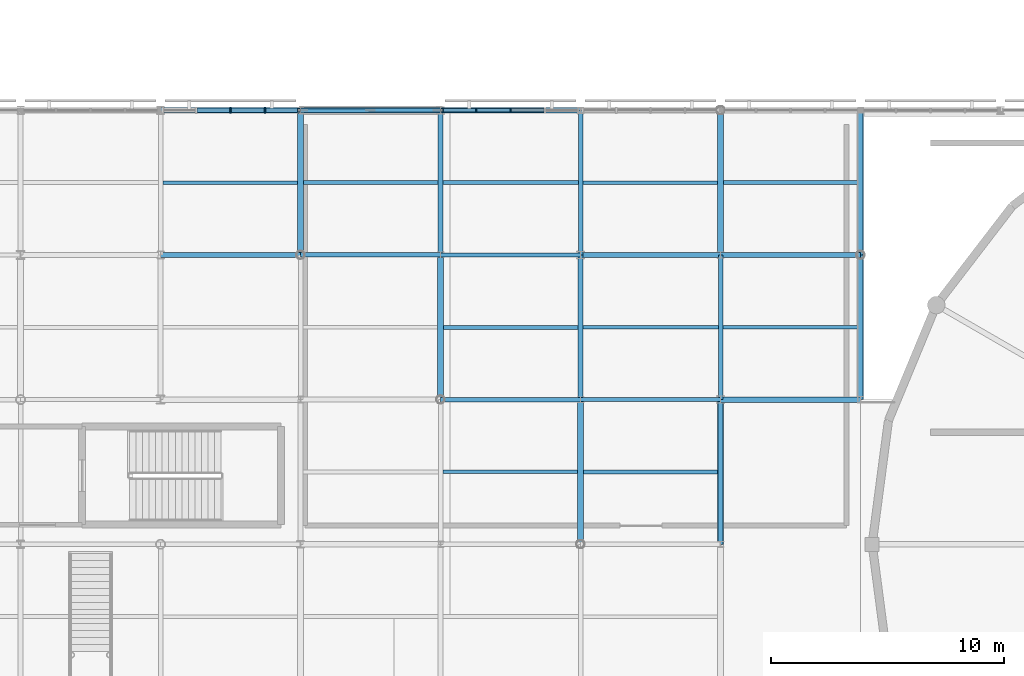
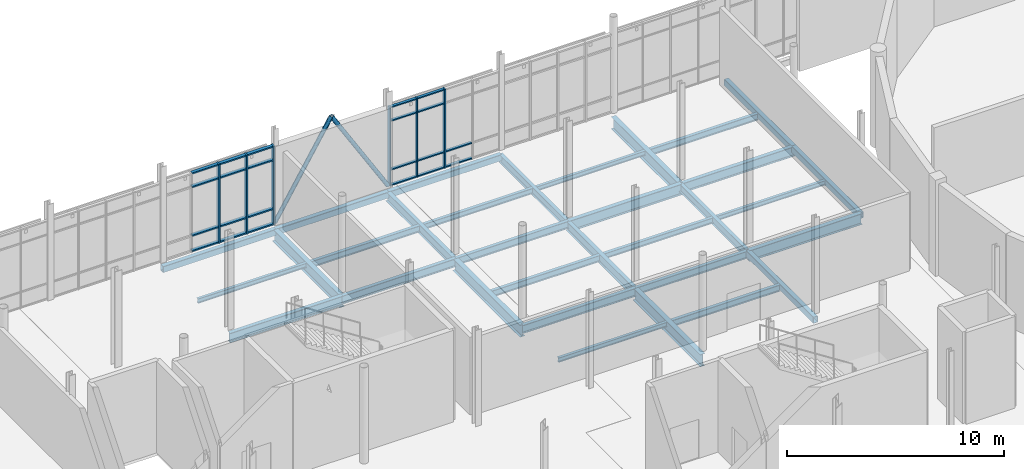
# One storey, part 36 of 105: 32 beams, 30 members, 2 elements without a shape of their own.
"""IFC4 building model written with IfcOpenShell, lengths in metres."""

from ifc_helpers import new_model, si_unit, direction, frame, origin, origin_2d, place, context, subcontext, project, spatial, rectangle, hollow_rectangle, hollow_circle, i_section, extrude, material, layer, layer_set, material_profile, profile_set, type_object, element, aggregate, save


model = new_model("IFC4")

# Units and contexts
model_context = context("Model", 3, precision=1e-05, world=origin(), true_north=direction((0.0, 1.0)))
body_context = subcontext(model_context, "Body", "Model", "MODEL_VIEW")
ifc_project = project(units=[si_unit("LENGTHUNIT", "METRE"), si_unit("AREAUNIT", "SQUARE_METRE"), si_unit("VOLUMEUNIT", "CUBIC_METRE"), si_unit("PLANEANGLEUNIT", "RADIAN"), si_unit("MASSUNIT", "GRAM", prefix="KILO")], contexts=[model_context])

# Site, building, storey
site_placement = place(None, origin())
site = spatial("IfcSite", under=ifc_project, at=site_placement, CompositionType="ELEMENT")
building_placement = place(site_placement, origin())
building = spatial("IfcBuilding", under=site, at=building_placement, Name="Mirzam Square Science Centre", CompositionType="ELEMENT")
storey_placement = place(building_placement, frame((0.0, 0.0, 5.39990234375)))
storey = spatial("IfcBuildingStorey", under=building, at=storey_placement, Name="L01", CompositionType="ELEMENT", Elevation=5.39990234375)

# Beams
ifc_material_1 = material(Name="Steel S355", Category="steel")
ifc_material_profile_1 = material_profile(ifc_material_1, i_section(OverallWidth=0.1787109375, OverallDepth=0.409423828125, WebThickness=0.0087890625, FlangeThickness=0.014404296875, FilletRadius=0.01025390625, at=origin_2d()), Name="406x178x67UB")
ifc_profile_set_1 = profile_set([ifc_material_profile_1], Name="Steel S355")
beam_type_1 = type_object("IfcBeamType", Name="BM-UB406", PredefinedType="BEAM", material=ifc_profile_set_1)
for number, where, z_axis, x_axis, name in (
    (1, (48.0, 68.199951171875, -0.464599609375), (1.0, 0.0, 0.0), (0.0, 1.0, 0.0), "L01 girder X9-12"),
    (2, (42.0, 74.39990234375, -0.464599609375), (1.0, 0.0, 0.0), (0.0, 1.0, 0.0), "L01 girder X8-13"),
):
    element("IfcBeam", number, at=place(storey_placement, frame(where, z_axis=z_axis, x_axis=x_axis)), inside=storey, type_object=beam_type_1, Name=name, PredefinedType="BEAM", context=body_context, shape_type="SweptSolid", body=[
        extrude(i_section(OverallWidth=0.1787109375, OverallDepth=0.409423828125, WebThickness=0.0087890625, FlangeThickness=0.014404296875, FilletRadius=0.01025390625, at=origin_2d()), origin(), (0.0, 0.0, 1.0), 6.0),
    ])
ifc_material_profile_2 = material_profile(ifc_material_1, i_section(OverallWidth=0.19140625, OverallDepth=0.4599609375, WebThickness=0.010009765625, FlangeThickness=0.01611328125, FilletRadius=0.01025390625, at=origin_2d()), Name="457x191x82UB")
ifc_profile_set_2 = profile_set([ifc_material_profile_2], Name="Steel S355")
beam_type_2 = type_object("IfcBeamType", Name="BM-UB457", PredefinedType="BEAM", material=ifc_profile_set_2)
for number, where, z_axis, x_axis, name in (
    (3, (42.0, 68.199951171875, -0.489990234375), (1.0, 0.0, 0.0), (0.0, 1.0, 0.0), "L01 girder X8-12"),
    (4, (36.0, 74.39990234375, -0.489990234375), (1.0, 0.0, 0.0), (0.0, 1.0, 0.0), "L01 girder X7-13"),
):
    element("IfcBeam", number, at=place(storey_placement, frame(where, z_axis=z_axis, x_axis=x_axis)), inside=storey, type_object=beam_type_2, Name=name, PredefinedType="BEAM", context=body_context, shape_type="SweptSolid", body=[
        extrude(i_section(OverallWidth=0.19140625, OverallDepth=0.4599609375, WebThickness=0.010009765625, FlangeThickness=0.01611328125, FilletRadius=0.01025390625, at=origin_2d()), origin(), (0.0, 0.0, 1.0), 6.0),
    ])
beam_1_placement = place(storey_placement, frame((48.0, 74.39990234375, -0.489990234375), z_axis=(0.0, 1.0, 0.0), x_axis=(-1.0, 0.0, 0.0)))
element("IfcBeam", 5, at=beam_1_placement, inside=storey, type_object=beam_type_2, Name="L01 girder Y9-13", PredefinedType="BEAM", context=body_context, shape_type="SweptSolid", body=[
    extrude(i_section(OverallWidth=0.19140625, OverallDepth=0.4599609375, WebThickness=0.010009765625, FlangeThickness=0.01611328125, FilletRadius=0.01025390625, at=origin_2d()), origin(), (0.0, 0.0, 1.0), 6.2001953125),
])
beam_2_placement = place(storey_placement, frame((54.0, 68.199951171875, -0.489990234375), z_axis=(0.0, 1.0, 0.0), x_axis=(-1.0, 0.0, 0.0)))
element("IfcBeam", 6, at=beam_2_placement, inside=storey, type_object=beam_type_2, Name="L01 girder Y10-12", PredefinedType="BEAM", context=body_context, shape_type="SweptSolid", body=[
    extrude(i_section(OverallWidth=0.19140625, OverallDepth=0.4599609375, WebThickness=0.010009765625, FlangeThickness=0.01611328125, FilletRadius=0.01025390625, at=origin_2d()), origin(), (0.0, 0.0, 1.0), 6.199951171875),
])
ifc_material_profile_3 = material_profile(ifc_material_1, i_section(OverallWidth=0.2099609375, OverallDepth=0.53662109375, WebThickness=0.0107421875, FlangeThickness=0.017333984375, FilletRadius=0.0126953125, at=origin_2d()), Name="533x210x101UB")
ifc_profile_set_3 = profile_set([ifc_material_profile_3], Name="Steel S355")
beam_type_3 = type_object("IfcBeamType", Name="BM-UB533", PredefinedType="BEAM", material=ifc_profile_set_3)
for number, where, z_axis, x_axis, name in (
    (7, (30.0, 74.39990234375, -0.5283203125), (1.0, 0.0, 0.0), (0.0, 1.0, 0.0), "L01 girder X6-13"),
    (8, (54.0, 74.39990234375, -0.5283203125), (1.0, 0.0, 0.0), (0.0, 1.0, 0.0), "L01 girder X10-13"),
):
    element("IfcBeam", number, at=place(storey_placement, frame(where, z_axis=z_axis, x_axis=x_axis)), inside=storey, type_object=beam_type_3, Name=name, PredefinedType="BEAM", context=body_context, shape_type="SweptSolid", body=[
        extrude(i_section(OverallWidth=0.2099609375, OverallDepth=0.53662109375, WebThickness=0.0107421875, FlangeThickness=0.017333984375, FilletRadius=0.0126953125, at=origin_2d()), origin(), (0.0, 0.0, 1.0), 6.0),
    ])
beam_3_placement = place(storey_placement, frame((42.0, 74.39990234375, -0.5283203125), z_axis=(0.0, 1.0, 0.0), x_axis=(-1.0, 0.0, 0.0)))
element("IfcBeam", 9, at=beam_3_placement, inside=storey, type_object=beam_type_3, Name="L01 girder Y8-13", PredefinedType="BEAM", context=body_context, shape_type="SweptSolid", body=[
    extrude(i_section(OverallWidth=0.2099609375, OverallDepth=0.53662109375, WebThickness=0.0107421875, FlangeThickness=0.017333984375, FilletRadius=0.0126953125, at=origin_2d()), origin(), (0.0, 0.0, 1.0), 6.2001953125),
])
beam_4_placement = place(storey_placement, frame((48.0, 68.199951171875, -0.5283203125), z_axis=(0.0, 1.0, 0.0), x_axis=(-1.0, 0.0, 0.0)))
element("IfcBeam", 10, at=beam_4_placement, inside=storey, type_object=beam_type_3, Name="L01 girder Y9-12", PredefinedType="BEAM", context=body_context, shape_type="SweptSolid", body=[
    extrude(i_section(OverallWidth=0.2099609375, OverallDepth=0.53662109375, WebThickness=0.0107421875, FlangeThickness=0.017333984375, FilletRadius=0.0126953125, at=origin_2d()), origin(), (0.0, 0.0, 1.0), 6.199951171875),
])
ifc_material_profile_4 = material_profile(ifc_material_1, i_section(OverallWidth=0.22900390625, OverallDepth=0.6123046875, WebThickness=0.011962890625, FlangeThickness=0.01953125, FilletRadius=0.0126953125, at=origin_2d()), Name="610x229x125UB")
ifc_profile_set_4 = profile_set([ifc_material_profile_4], Name="Steel S355")
beam_type_4 = type_object("IfcBeamType", Name="BM-UB610", PredefinedType="BEAM", material=ifc_profile_set_4)
for number, where, z_axis, x_axis, name in (
    (11, (54.0, 68.199951171875, -0.56591796875), (1.0, 0.0, 0.0), (0.0, 1.0, 0.0), "L01 girder X10-12"),
    (12, (48.0, 74.39990234375, -0.56591796875), (1.0, 0.0, 0.0), (0.0, 1.0, 0.0), "L01 girder X9-13"),
):
    element("IfcBeam", number, at=place(storey_placement, frame(where, z_axis=z_axis, x_axis=x_axis)), inside=storey, type_object=beam_type_4, Name=name, PredefinedType="BEAM", context=body_context, shape_type="SweptSolid", body=[
        extrude(i_section(OverallWidth=0.22900390625, OverallDepth=0.6123046875, WebThickness=0.011962890625, FlangeThickness=0.01953125, FilletRadius=0.0126953125, at=origin_2d()), origin(), (0.0, 0.0, 1.0), 6.0),
    ])
ifc_material_profile_5 = material_profile(ifc_material_1, i_section(OverallWidth=0.25439453125, OverallDepth=0.6875, WebThickness=0.01318359375, FlangeThickness=0.02099609375, FilletRadius=0.01513671875, at=origin_2d()), Name="686x254x152UB")
ifc_profile_set_5 = profile_set([ifc_material_profile_5], Name="Steel S355")
beam_type_5 = type_object("IfcBeamType", Name="BM-UB686", PredefinedType="BEAM", material=ifc_profile_set_5)
beam_5_placement = place(storey_placement, frame((36.0, 74.39990234375, -0.603759765625), z_axis=(0.0, 1.0, 0.0), x_axis=(-1.0, 0.0, 0.0)))
element("IfcBeam", 13, at=beam_5_placement, inside=storey, type_object=beam_type_5, Name="L01 girder Y7-13", PredefinedType="BEAM", context=body_context, shape_type="SweptSolid", body=[
    extrude(i_section(OverallWidth=0.25439453125, OverallDepth=0.6875, WebThickness=0.01318359375, FlangeThickness=0.02099609375, FilletRadius=0.01513671875, at=origin_2d()), origin(), (0.0, 0.0, 1.0), 6.2001953125),
])
for number, where, z_axis, x_axis, name in (
    (14, (42.0, 68.199951171875, -0.603759765625), (0.0, 1.0, 0.0), (-1.0, 0.0, 0.0), "L01 girder Y8-12"),
    (15, (48.0, 62.0, -0.603759765625), (0.0, 1.0, 0.0), (-1.0, 0.0, 0.0), "L01 girder Y9-11"),
):
    element("IfcBeam", number, at=place(storey_placement, frame(where, z_axis=z_axis, x_axis=x_axis)), inside=storey, type_object=beam_type_5, Name=name, PredefinedType="BEAM", context=body_context, shape_type="SweptSolid", body=[
        extrude(i_section(OverallWidth=0.25439453125, OverallDepth=0.6875, WebThickness=0.01318359375, FlangeThickness=0.02099609375, FilletRadius=0.01513671875, at=origin_2d()), origin(), (0.0, 0.0, 1.0), 6.199951171875),
    ])
beam_6_placement = place(storey_placement, frame((54.0, 74.39990234375, -0.603759765625), z_axis=(0.0, 1.0, 0.0), x_axis=(-1.0, 0.0, 0.0)))
element("IfcBeam", 16, at=beam_6_placement, inside=storey, type_object=beam_type_5, Name="L01 girder Y10-13", PredefinedType="BEAM", context=body_context, shape_type="SweptSolid", body=[
    extrude(i_section(OverallWidth=0.25439453125, OverallDepth=0.6875, WebThickness=0.01318359375, FlangeThickness=0.02099609375, FilletRadius=0.01513671875, at=origin_2d()), origin(), (0.0, 0.0, 1.0), 6.2001953125),
])

# Members
ifc_material_profile_6 = material_profile(ifc_material_1, hollow_circle(Radius=0.109619140625, WallThickness=0.010009765625, at=origin_2d()), Name="219.1x10.0CHS")
ifc_profile_set_6 = profile_set([ifc_material_profile_6], Name="Steel S355")
member_type_1 = type_object("IfcMemberType", Name="BR-CHS219", PredefinedType="BRACE", material=ifc_profile_set_6)
for number, where, z_axis, x_axis, name in (
    (17, (36.0, 80.60009765625, 0.050048828125), (0.520218218023, 0.0, 0.854033375014), (0.0, 1.0, 0.0), "L01 chevron brace 3A"),
    (18, (42.0, 80.60009765625, 0.050048828125), (-0.520218218023, 0.0, 0.854033375014), (0.0, -1.0, 0.0), "L01 chevron brace 3B"),
):
    element("IfcMember", number, at=place(storey_placement, frame(where, z_axis=z_axis, x_axis=x_axis)), inside=storey, type_object=member_type_1, Name=name, PredefinedType="BRACE", context=body_context, shape_type="SweptSolid", body=[
        extrude(hollow_circle(Radius=0.109619140625, WallThickness=0.010009765625, at=origin_2d()), origin(), (0.0, 0.0, 1.0), 5.766845703125),
    ])

# Curtain wall, members
ifc_material_2 = material(Name="Anodised Aluminium and Low-E Solar Glass", Category="aluminium")
ifc_layer_1 = layer(ifc_material_2, 0.159912109375)
ifc_layer_set_1 = layer_set([ifc_layer_1], Name="CW-COURT-A")
curtain_wall_type_1 = type_object("IfcCurtainWallType", Name="CW-COURT-A", PredefinedType="USERDEFINED", material=ifc_layer_set_1)
curtain_wall_1_placement = place(storey_placement, origin())
curtain_wall_1 = element("IfcCurtainWall", 19, at=curtain_wall_1_placement, inside=storey, type_object=curtain_wall_type_1, Name="L01 unitised curtain wall 15", ObjectType="UNITISED CURTAIN WALL", PredefinedType="USERDEFINED")
ifc_material_3 = material(Name="Anodised Architectural Aluminium 6063-T6", Category="aluminium")
ifc_material_profile_7 = material_profile(ifc_material_3, rectangle(XDim=0.06494140625, YDim=0.199951171875, at=origin_2d()), Name="ALU-MULL-200x65x5")
ifc_profile_set_7 = profile_set([ifc_material_profile_7], Name="Anodised Architectural Aluminium 6063-T6")
member_type_2 = type_object("IfcMemberType", Name="CWM-200", PredefinedType="MULLION", material=ifc_profile_set_7)
member_1_placement = place(storey_placement, frame((45.0, 80.60009765625, 0.0), z_axis=(0.0, 0.0, 1.0), x_axis=(-1.0, 0.0, 0.0)))
member_1 = element("IfcMember", 20, at=member_1_placement, type_object=member_type_2, Name="CW-03 mullion 3", PredefinedType="MULLION", context=body_context, shape_type="SweptSolid", body=[
    extrude(rectangle(XDim=0.06494140625, YDim=0.199951171875, at=origin_2d()), origin(), (0.0, 0.0, 1.0), 4.440185546875),
])
member_2_placement = place(storey_placement, frame((43.527587890625, 80.60009765625, 0.0), z_axis=(0.0, 0.0, 1.0), x_axis=(-1.0, 0.0, 0.0)))
member_2 = element("IfcMember", 21, at=member_2_placement, type_object=member_type_2, Name="CW-03 mullion 4", PredefinedType="MULLION", context=body_context, shape_type="SweptSolid", body=[
    extrude(rectangle(XDim=0.06494140625, YDim=0.199951171875, at=origin_2d()), origin(), (0.0, 0.0, 1.0), 4.440185546875),
])
member_3_placement = place(storey_placement, frame((42.08740234375, 80.60009765625, 0.0), z_axis=(0.0, 0.0, 1.0), x_axis=(-1.0, 0.0, 0.0)))
member_3 = element("IfcMember", 22, at=member_3_placement, type_object=member_type_2, Name="CW-03 mullion 5", PredefinedType="MULLION", context=body_context, shape_type="SweptSolid", body=[
    extrude(rectangle(XDim=0.06494140625, YDim=0.199951171875, at=origin_2d()), origin(), (0.0, 0.0, 1.0), 4.440185546875),
])

ifc_layer_2 = layer(ifc_material_2, 0.179931640625)
ifc_layer_set_2 = layer_set([ifc_layer_2], Name="CW-PARK-A")
curtain_wall_type_2 = type_object("IfcCurtainWallType", Name="CW-PARK-A", PredefinedType="USERDEFINED", material=ifc_layer_set_2)
curtain_wall_2_placement = place(storey_placement, origin())
curtain_wall_2 = element("IfcCurtainWall", 23, at=curtain_wall_2_placement, inside=storey, type_object=curtain_wall_type_2, Name="L01 unitised curtain wall 14", ObjectType="UNITISED CURTAIN WALL", PredefinedType="USERDEFINED")
ifc_material_profile_8 = material_profile(ifc_material_3, rectangle(XDim=0.074951171875, YDim=0.239990234375, at=origin_2d()), Name="ALU-MULL-240x75x5")
ifc_profile_set_8 = profile_set([ifc_material_profile_8], Name="Anodised Architectural Aluminium 6063-T6")
member_type_3 = type_object("IfcMemberType", Name="CWM-240", PredefinedType="MULLION", material=ifc_profile_set_8)
member_4_placement = place(storey_placement, frame((35.907470703125, 80.60009765625, 0.0), z_axis=(0.0, 0.0, 1.0), x_axis=(-1.0, 0.0, 0.0)))
member_4 = element("IfcMember", 24, at=member_4_placement, type_object=member_type_3, Name="CW-01 mullion 1", PredefinedType="MULLION", context=body_context, shape_type="SweptSolid", body=[
    extrude(rectangle(XDim=0.074951171875, YDim=0.239990234375, at=origin_2d()), origin(), (0.0, 0.0, 1.0), 4.440185546875),
])
member_5_placement = place(storey_placement, frame((34.472412109375, 80.60009765625, 0.0), z_axis=(0.0, 0.0, 1.0), x_axis=(-1.0, 0.0, 0.0)))
member_5 = element("IfcMember", 25, at=member_5_placement, type_object=member_type_3, Name="CW-01 mullion 2", PredefinedType="MULLION", context=body_context, shape_type="SweptSolid", body=[
    extrude(rectangle(XDim=0.074951171875, YDim=0.239990234375, at=origin_2d()), origin(), (0.0, 0.0, 1.0), 4.440185546875),
])
member_6_placement = place(storey_placement, frame((33.0, 80.60009765625, 0.0), z_axis=(0.0, 0.0, 1.0), x_axis=(-1.0, 0.0, 0.0)))
member_6 = element("IfcMember", 26, at=member_6_placement, type_object=member_type_3, Name="CW-01 mullion 3", PredefinedType="MULLION", context=body_context, shape_type="SweptSolid", body=[
    extrude(rectangle(XDim=0.074951171875, YDim=0.239990234375, at=origin_2d()), origin(), (0.0, 0.0, 1.0), 4.440185546875),
])

# Member
ifc_material_profile_9 = material_profile(ifc_material_3, rectangle(XDim=0.14990234375, YDim=0.06494140625, at=origin_2d()), Name="ALU-TRAN-150x65x4")
ifc_profile_set_9 = profile_set([ifc_material_profile_9], Name="Anodised Architectural Aluminium 6063-T6")
member_type_4 = type_object("IfcMemberType", Name="CWT-150", PredefinedType="USERDEFINED", material=ifc_profile_set_9)
member_7_placement = place(storey_placement, frame((46.43994140625, 80.60009765625, 0.03271484375), z_axis=(-1.0, 0.0, 0.0), x_axis=(0.0, -1.0, 0.0)))
member_7 = element("IfcMember", 27, at=member_7_placement, type_object=member_type_4, Name="CW-03 transom 2.1", ObjectType="TRANSOM", PredefinedType="USERDEFINED", context=body_context, shape_type="SweptSolid", body=[
    extrude(rectangle(XDim=0.14990234375, YDim=0.06494140625, at=origin_2d()), origin(), (0.0, 0.0, 1.0), 1.407470703125),
])

member_8_placement = place(storey_placement, frame((46.43994140625, 80.60009765625, 0.900146484375), z_axis=(-1.0, 0.0, 0.0), x_axis=(0.0, -1.0, 0.0)))
member_8 = element("IfcMember", 28, at=member_8_placement, type_object=member_type_4, Name="CW-03 transom 2.2", ObjectType="TRANSOM", PredefinedType="USERDEFINED", context=body_context, shape_type="SweptSolid", body=[
    extrude(rectangle(XDim=0.14990234375, YDim=0.06494140625, at=origin_2d()), origin(), (0.0, 0.0, 1.0), 1.407470703125),
])

member_9_placement = place(storey_placement, frame((44.967529296875, 80.60009765625, 0.03271484375), z_axis=(-1.0, 0.0, 0.0), x_axis=(0.0, -1.0, 0.0)))
member_9 = element("IfcMember", 29, at=member_9_placement, type_object=member_type_4, Name="CW-03 transom 3.1", ObjectType="TRANSOM", PredefinedType="USERDEFINED", context=body_context, shape_type="SweptSolid", body=[
    extrude(rectangle(XDim=0.14990234375, YDim=0.06494140625, at=origin_2d()), origin(), (0.0, 0.0, 1.0), 1.407470703125),
])

member_10_placement = place(storey_placement, frame((44.967529296875, 80.60009765625, 0.900146484375), z_axis=(-1.0, 0.0, 0.0), x_axis=(0.0, -1.0, 0.0)))
member_10 = element("IfcMember", 30, at=member_10_placement, type_object=member_type_4, Name="CW-03 transom 3.2", ObjectType="TRANSOM", PredefinedType="USERDEFINED", context=body_context, shape_type="SweptSolid", body=[
    extrude(rectangle(XDim=0.14990234375, YDim=0.06494140625, at=origin_2d()), origin(), (0.0, 0.0, 1.0), 1.407470703125),
])

member_11_placement = place(storey_placement, frame((44.967529296875, 80.60009765625, 3.64013671875), z_axis=(-1.0, 0.0, 0.0), x_axis=(0.0, -1.0, 0.0)))
member_11 = element("IfcMember", 31, at=member_11_placement, type_object=member_type_4, Name="CW-03 transom 3.3", ObjectType="TRANSOM", PredefinedType="USERDEFINED", context=body_context, shape_type="SweptSolid", body=[
    extrude(rectangle(XDim=0.14990234375, YDim=0.06494140625, at=origin_2d()), origin(), (0.0, 0.0, 1.0), 1.407470703125),
])

member_12_placement = place(storey_placement, frame((44.967529296875, 80.60009765625, 4.40771484375), z_axis=(-1.0, 0.0, 0.0), x_axis=(0.0, -1.0, 0.0)))
member_12 = element("IfcMember", 32, at=member_12_placement, type_object=member_type_4, Name="CW-03 transom 3.4", ObjectType="TRANSOM", PredefinedType="USERDEFINED", context=body_context, shape_type="SweptSolid", body=[
    extrude(rectangle(XDim=0.14990234375, YDim=0.06494140625, at=origin_2d()), origin(), (0.0, 0.0, 1.0), 1.407470703125),
])

member_13_placement = place(storey_placement, frame((43.4951171875, 80.60009765625, 0.03271484375), z_axis=(-1.0, 0.0, 0.0), x_axis=(0.0, -1.0, 0.0)))
member_13 = element("IfcMember", 33, at=member_13_placement, type_object=member_type_4, Name="CW-03 transom 4.1", ObjectType="TRANSOM", PredefinedType="USERDEFINED", context=body_context, shape_type="SweptSolid", body=[
    extrude(rectangle(XDim=0.14990234375, YDim=0.06494140625, at=origin_2d()), origin(), (0.0, 0.0, 1.0), 1.375),
])

member_14_placement = place(storey_placement, frame((43.4951171875, 80.60009765625, 0.900146484375), z_axis=(-1.0, 0.0, 0.0), x_axis=(0.0, -1.0, 0.0)))
member_14 = element("IfcMember", 34, at=member_14_placement, type_object=member_type_4, Name="CW-03 transom 4.2", ObjectType="TRANSOM", PredefinedType="USERDEFINED", context=body_context, shape_type="SweptSolid", body=[
    extrude(rectangle(XDim=0.14990234375, YDim=0.06494140625, at=origin_2d()), origin(), (0.0, 0.0, 1.0), 1.375),
])

member_15_placement = place(storey_placement, frame((43.4951171875, 80.60009765625, 3.64013671875), z_axis=(-1.0, 0.0, 0.0), x_axis=(0.0, -1.0, 0.0)))
member_15 = element("IfcMember", 35, at=member_15_placement, type_object=member_type_4, Name="CW-03 transom 4.3", ObjectType="TRANSOM", PredefinedType="USERDEFINED", context=body_context, shape_type="SweptSolid", body=[
    extrude(rectangle(XDim=0.14990234375, YDim=0.06494140625, at=origin_2d()), origin(), (0.0, 0.0, 1.0), 1.375),
])

member_16_placement = place(storey_placement, frame((43.4951171875, 80.60009765625, 4.40771484375), z_axis=(-1.0, 0.0, 0.0), x_axis=(0.0, -1.0, 0.0)))
member_16 = element("IfcMember", 36, at=member_16_placement, type_object=member_type_4, Name="CW-03 transom 4.4", ObjectType="TRANSOM", PredefinedType="USERDEFINED", context=body_context, shape_type="SweptSolid", body=[
    extrude(rectangle(XDim=0.14990234375, YDim=0.06494140625, at=origin_2d()), origin(), (0.0, 0.0, 1.0), 1.375),
])

aggregate(curtain_wall_1, [member_1, member_2, member_3, member_7, member_8, member_9, member_10, member_11, member_12, member_13, member_14, member_15, member_16])

ifc_material_profile_10 = material_profile(ifc_material_3, rectangle(XDim=0.179931640625, YDim=0.074951171875, at=origin_2d()), Name="ALU-TRAN-180x75x5")
ifc_profile_set_10 = profile_set([ifc_material_profile_10], Name="Anodised Architectural Aluminium 6063-T6")
member_type_5 = type_object("IfcMemberType", Name="CWT-180", PredefinedType="USERDEFINED", material=ifc_profile_set_10)
member_17_placement = place(storey_placement, frame((35.8701171875, 80.60009765625, 0.03759765625), z_axis=(-1.0, 0.0, 0.0), x_axis=(0.0, -1.0, 0.0)))
member_17 = element("IfcMember", 37, at=member_17_placement, type_object=member_type_5, Name="CW-01 transom 1.1", ObjectType="TRANSOM", PredefinedType="USERDEFINED", context=body_context, shape_type="SweptSolid", body=[
    extrude(rectangle(XDim=0.179931640625, YDim=0.074951171875, at=origin_2d()), origin(), (0.0, 0.0, 1.0), 1.360107421875),
])

member_18_placement = place(storey_placement, frame((35.8701171875, 80.60009765625, 0.900146484375), z_axis=(-1.0, 0.0, 0.0), x_axis=(0.0, -1.0, 0.0)))
member_18 = element("IfcMember", 38, at=member_18_placement, type_object=member_type_5, Name="CW-01 transom 1.2", ObjectType="TRANSOM", PredefinedType="USERDEFINED", context=body_context, shape_type="SweptSolid", body=[
    extrude(rectangle(XDim=0.179931640625, YDim=0.074951171875, at=origin_2d()), origin(), (0.0, 0.0, 1.0), 1.360107421875),
])

member_19_placement = place(storey_placement, frame((35.8701171875, 80.60009765625, 3.64013671875), z_axis=(-1.0, 0.0, 0.0), x_axis=(0.0, -1.0, 0.0)))
member_19 = element("IfcMember", 39, at=member_19_placement, type_object=member_type_5, Name="CW-01 transom 1.3", ObjectType="TRANSOM", PredefinedType="USERDEFINED", context=body_context, shape_type="SweptSolid", body=[
    extrude(rectangle(XDim=0.179931640625, YDim=0.074951171875, at=origin_2d()), origin(), (0.0, 0.0, 1.0), 1.360107421875),
])

member_20_placement = place(storey_placement, frame((35.8701171875, 80.60009765625, 4.402587890625), z_axis=(-1.0, 0.0, 0.0), x_axis=(0.0, -1.0, 0.0)))
member_20 = element("IfcMember", 40, at=member_20_placement, type_object=member_type_5, Name="CW-01 transom 1.4", ObjectType="TRANSOM", PredefinedType="USERDEFINED", context=body_context, shape_type="SweptSolid", body=[
    extrude(rectangle(XDim=0.179931640625, YDim=0.074951171875, at=origin_2d()), origin(), (0.0, 0.0, 1.0), 1.360107421875),
])

member_21_placement = place(storey_placement, frame((34.43505859375, 80.60009765625, 0.03759765625), z_axis=(-1.0, 0.0, 0.0), x_axis=(0.0, -1.0, 0.0)))
member_21 = element("IfcMember", 41, at=member_21_placement, type_object=member_type_5, Name="CW-01 transom 2.1", ObjectType="TRANSOM", PredefinedType="USERDEFINED", context=body_context, shape_type="SweptSolid", body=[
    extrude(rectangle(XDim=0.179931640625, YDim=0.074951171875, at=origin_2d()), origin(), (0.0, 0.0, 1.0), 1.3974609375),
])

member_22_placement = place(storey_placement, frame((34.43505859375, 80.60009765625, 0.900146484375), z_axis=(-1.0, 0.0, 0.0), x_axis=(0.0, -1.0, 0.0)))
member_22 = element("IfcMember", 42, at=member_22_placement, type_object=member_type_5, Name="CW-01 transom 2.2", ObjectType="TRANSOM", PredefinedType="USERDEFINED", context=body_context, shape_type="SweptSolid", body=[
    extrude(rectangle(XDim=0.179931640625, YDim=0.074951171875, at=origin_2d()), origin(), (0.0, 0.0, 1.0), 1.3974609375),
])

member_23_placement = place(storey_placement, frame((34.43505859375, 80.60009765625, 3.64013671875), z_axis=(-1.0, 0.0, 0.0), x_axis=(0.0, -1.0, 0.0)))
member_23 = element("IfcMember", 43, at=member_23_placement, type_object=member_type_5, Name="CW-01 transom 2.3", ObjectType="TRANSOM", PredefinedType="USERDEFINED", context=body_context, shape_type="SweptSolid", body=[
    extrude(rectangle(XDim=0.179931640625, YDim=0.074951171875, at=origin_2d()), origin(), (0.0, 0.0, 1.0), 1.3974609375),
])

member_24_placement = place(storey_placement, frame((34.43505859375, 80.60009765625, 4.402587890625), z_axis=(-1.0, 0.0, 0.0), x_axis=(0.0, -1.0, 0.0)))
member_24 = element("IfcMember", 44, at=member_24_placement, type_object=member_type_5, Name="CW-01 transom 2.4", ObjectType="TRANSOM", PredefinedType="USERDEFINED", context=body_context, shape_type="SweptSolid", body=[
    extrude(rectangle(XDim=0.179931640625, YDim=0.074951171875, at=origin_2d()), origin(), (0.0, 0.0, 1.0), 1.3974609375),
])

member_25_placement = place(storey_placement, frame((32.96240234375, 80.60009765625, 0.03759765625), z_axis=(-1.0, 0.0, 0.0), x_axis=(0.0, -1.0, 0.0)))
member_25 = element("IfcMember", 45, at=member_25_placement, type_object=member_type_5, Name="CW-01 transom 3.1", ObjectType="TRANSOM", PredefinedType="USERDEFINED", context=body_context, shape_type="SweptSolid", body=[
    extrude(rectangle(XDim=0.179931640625, YDim=0.074951171875, at=origin_2d()), origin(), (0.0, 0.0, 1.0), 1.3974609375),
])

member_26_placement = place(storey_placement, frame((32.96240234375, 80.60009765625, 0.900146484375), z_axis=(-1.0, 0.0, 0.0), x_axis=(0.0, -1.0, 0.0)))
member_26 = element("IfcMember", 46, at=member_26_placement, type_object=member_type_5, Name="CW-01 transom 3.2", ObjectType="TRANSOM", PredefinedType="USERDEFINED", context=body_context, shape_type="SweptSolid", body=[
    extrude(rectangle(XDim=0.179931640625, YDim=0.074951171875, at=origin_2d()), origin(), (0.0, 0.0, 1.0), 1.3974609375),
])

member_27_placement = place(storey_placement, frame((32.96240234375, 80.60009765625, 3.64013671875), z_axis=(-1.0, 0.0, 0.0), x_axis=(0.0, -1.0, 0.0)))
member_27 = element("IfcMember", 47, at=member_27_placement, type_object=member_type_5, Name="CW-01 transom 3.3", ObjectType="TRANSOM", PredefinedType="USERDEFINED", context=body_context, shape_type="SweptSolid", body=[
    extrude(rectangle(XDim=0.179931640625, YDim=0.074951171875, at=origin_2d()), origin(), (0.0, 0.0, 1.0), 1.3974609375),
])

member_28_placement = place(storey_placement, frame((32.96240234375, 80.60009765625, 4.402587890625), z_axis=(-1.0, 0.0, 0.0), x_axis=(0.0, -1.0, 0.0)))
member_28 = element("IfcMember", 48, at=member_28_placement, type_object=member_type_5, Name="CW-01 transom 3.4", ObjectType="TRANSOM", PredefinedType="USERDEFINED", context=body_context, shape_type="SweptSolid", body=[
    extrude(rectangle(XDim=0.179931640625, YDim=0.074951171875, at=origin_2d()), origin(), (0.0, 0.0, 1.0), 1.3974609375),
])

aggregate(curtain_wall_2, [member_4, member_5, member_6, member_17, member_18, member_19, member_20, member_21, member_22, member_23, member_24, member_25, member_26, member_27, member_28])

# Beams
ifc_material_profile_11 = material_profile(ifc_material_1, i_section(OverallWidth=0.146484375, OverallDepth=0.256103515625, WebThickness=0.00634765625, FlangeThickness=0.010986328125, FilletRadius=0.007568359375, at=origin_2d()), Name="254x146x37UB")
ifc_profile_set_11 = profile_set([ifc_material_profile_11], Name="Steel S355")
beam_type_6 = type_object("IfcBeamType", Name="JS-UB254", PredefinedType="JOIST", material=ifc_profile_set_11)
for number, where, z_axis, x_axis, name in (
    (49, (30.095703125, 77.5, -0.387939453125), (1.0, 0.0, 0.0), (0.0, 1.0, 0.0), "L01 composite joist 6-13"),
    (50, (42.095703125, 65.10009765625, -0.387939453125), (1.0, 0.0, 0.0), (0.0, 1.0, 0.0), "L01 composite joist 8-11"),
    (51, (48.095703125, 77.5, -0.387939453125), (1.0, 0.0, 0.0), (0.0, 1.0, 0.0), "L01 composite joist 9-13"),
):
    element("IfcBeam", number, at=place(storey_placement, frame(where, z_axis=z_axis, x_axis=x_axis)), inside=storey, type_object=beam_type_6, Name=name, PredefinedType="JOIST", context=body_context, shape_type="SweptSolid", body=[
        extrude(i_section(OverallWidth=0.146484375, OverallDepth=0.256103515625, WebThickness=0.00634765625, FlangeThickness=0.010986328125, FilletRadius=0.007568359375, at=origin_2d()), origin(), (0.0, 0.0, 1.0), 5.777099609375),
    ])
beam_7_placement = place(storey_placement, frame((54.095703125, 71.300048828125, -0.387939453125), z_axis=(1.0, 0.0, 0.0), x_axis=(0.0, 1.0, 0.0)))
element("IfcBeam", 52, at=beam_7_placement, inside=storey, type_object=beam_type_6, Name="L01 composite joist 10-12", PredefinedType="JOIST", context=body_context, shape_type="SweptSolid", body=[
    extrude(i_section(OverallWidth=0.146484375, OverallDepth=0.256103515625, WebThickness=0.00634765625, FlangeThickness=0.010986328125, FilletRadius=0.007568359375, at=origin_2d()), origin(), (0.0, 0.0, 1.0), 5.779296875),
])
ifc_material_profile_12 = material_profile(ifc_material_1, i_section(OverallWidth=0.165771484375, OverallDepth=0.306640625, WebThickness=0.006591796875, FlangeThickness=0.01171875, FilletRadius=0.0087890625, at=origin_2d()), Name="305x165x46UB")
ifc_profile_set_12 = profile_set([ifc_material_profile_12], Name="Steel S355")
beam_type_7 = type_object("IfcBeamType", Name="JS-UB305", PredefinedType="JOIST", material=ifc_profile_set_12)
for number, where, z_axis, x_axis, name in (
    (53, (42.10498046875, 77.5, -0.4130859375), (1.0, 0.0, 0.0), (0.0, 1.0, 0.0), "L01 composite joist 8-13"),
    (54, (48.10498046875, 71.300048828125, -0.4130859375), (1.0, 0.0, 0.0), (0.0, 1.0, 0.0), "L01 composite joist 9-12"),
):
    element("IfcBeam", number, at=place(storey_placement, frame(where, z_axis=z_axis, x_axis=x_axis)), inside=storey, type_object=beam_type_7, Name=name, PredefinedType="JOIST", context=body_context, shape_type="SweptSolid", body=[
        extrude(i_section(OverallWidth=0.165771484375, OverallDepth=0.306640625, WebThickness=0.006591796875, FlangeThickness=0.01171875, FilletRadius=0.0087890625, at=origin_2d()), origin(), (0.0, 0.0, 1.0), 5.79931640625),
    ])
ifc_material_profile_13 = material_profile(ifc_material_1, i_section(OverallWidth=0.172119140625, OverallDepth=0.35791015625, WebThickness=0.008056640625, FlangeThickness=0.012939453125, FilletRadius=0.01025390625, at=origin_2d()), Name="356x171x57UB")
ifc_profile_set_13 = profile_set([ifc_material_profile_13], Name="Steel S355")
beam_type_8 = type_object("IfcBeamType", Name="JS-UB356", PredefinedType="JOIST", material=ifc_profile_set_13)
for number, where, z_axis, x_axis, name in (
    (55, (36.127197265625, 77.5, -0.43896484375), (1.0, 0.0, 0.0), (0.0, 1.0, 0.0), "L01 composite joist 7-13"),
    (56, (42.127197265625, 71.300048828125, -0.43896484375), (1.0, 0.0, 0.0), (0.0, 1.0, 0.0), "L01 composite joist 8-12"),
):
    element("IfcBeam", number, at=place(storey_placement, frame(where, z_axis=z_axis, x_axis=x_axis)), inside=storey, type_object=beam_type_8, Name=name, PredefinedType="JOIST", context=body_context, shape_type="SweptSolid", body=[
        extrude(i_section(OverallWidth=0.172119140625, OverallDepth=0.35791015625, WebThickness=0.008056640625, FlangeThickness=0.012939453125, FilletRadius=0.01025390625, at=origin_2d()), origin(), (0.0, 0.0, 1.0), 5.767822265625),
    ])
for number, where, z_axis, x_axis, name in (
    (57, (48.127197265625, 65.10009765625, -0.43896484375), (1.0, 0.0, 0.0), (0.0, 1.0, 0.0), "L01 composite joist 9-11"),
    (58, (54.127197265625, 77.5, -0.43896484375), (1.0, 0.0, 0.0), (0.0, 1.0, 0.0), "L01 composite joist 10-13"),
):
    element("IfcBeam", number, at=place(storey_placement, frame(where, z_axis=z_axis, x_axis=x_axis)), inside=storey, type_object=beam_type_8, Name=name, PredefinedType="JOIST", context=body_context, shape_type="SweptSolid", body=[
        extrude(i_section(OverallWidth=0.172119140625, OverallDepth=0.35791015625, WebThickness=0.008056640625, FlangeThickness=0.012939453125, FilletRadius=0.01025390625, at=origin_2d()), origin(), (0.0, 0.0, 1.0), 5.747802734375),
    ])
ifc_material_profile_14 = material_profile(ifc_material_1, hollow_rectangle(XDim=0.25, YDim=0.35009765625, WallThickness=0.012451171875, InnerFilletRadius=0.012451171875, OuterFilletRadius=0.02490234375, at=origin_2d()), Name="350x250x12.5RHS")
ifc_profile_set_14 = profile_set([ifc_material_profile_14], Name="Steel S355")
beam_type_9 = type_object("IfcBeamType", Name="SP-RHS350", PredefinedType="SPANDREL", material=ifc_profile_set_14)
for number, where, z_axis, x_axis, name in (
    (59, (30.0, 80.60009765625, -0.434814453125), (1.0, 0.0, 0.0), (0.0, 1.0, 0.0), "L01 girder X6-14"),
    (60, (36.0, 80.60009765625, -0.434814453125), (1.0, 0.0, 0.0), (0.0, 1.0, 0.0), "L01 girder X7-14"),
    (61, (42.0, 80.60009765625, -0.434814453125), (1.0, 0.0, 0.0), (0.0, 1.0, 0.0), "L01 girder X8-14"),
):
    element("IfcBeam", number, at=place(storey_placement, frame(where, z_axis=z_axis, x_axis=x_axis)), inside=storey, type_object=beam_type_9, Name=name, PredefinedType="SPANDREL", context=body_context, shape_type="SweptSolid", body=[
        extrude(hollow_rectangle(XDim=0.25, YDim=0.35009765625, WallThickness=0.012451171875, InnerFilletRadius=0.012451171875, OuterFilletRadius=0.02490234375, at=origin_2d()), origin(), (0.0, 0.0, 1.0), 6.0),
    ])
for number, where, z_axis, x_axis, name in (
    (62, (54.0, 62.0, -0.434814453125), (0.0, 1.0, 0.0), (-1.0, 0.0, 0.0), "L01 girder Y10-11"),
    (63, (60.0, 68.199951171875, -0.434814453125), (0.0, 1.0, 0.0), (-1.0, 0.0, 0.0), "L01 girder Y11-12"),
):
    element("IfcBeam", number, at=place(storey_placement, frame(where, z_axis=z_axis, x_axis=x_axis)), inside=storey, type_object=beam_type_9, Name=name, PredefinedType="SPANDREL", context=body_context, shape_type="SweptSolid", body=[
        extrude(hollow_rectangle(XDim=0.25, YDim=0.35009765625, WallThickness=0.012451171875, InnerFilletRadius=0.012451171875, OuterFilletRadius=0.02490234375, at=origin_2d()), origin(), (0.0, 0.0, 1.0), 6.199951171875),
    ])
beam_8_placement = place(storey_placement, frame((60.0, 74.39990234375, -0.434814453125), z_axis=(0.0, 1.0, 0.0), x_axis=(-1.0, 0.0, 0.0)))
element("IfcBeam", 64, at=beam_8_placement, inside=storey, type_object=beam_type_9, Name="L01 girder Y11-13", PredefinedType="SPANDREL", context=body_context, shape_type="SweptSolid", body=[
    extrude(hollow_rectangle(XDim=0.25, YDim=0.35009765625, WallThickness=0.012451171875, InnerFilletRadius=0.012451171875, OuterFilletRadius=0.02490234375, at=origin_2d()), origin(), (0.0, 0.0, 1.0), 6.2001953125),
])

save(model, "model.ifc")
